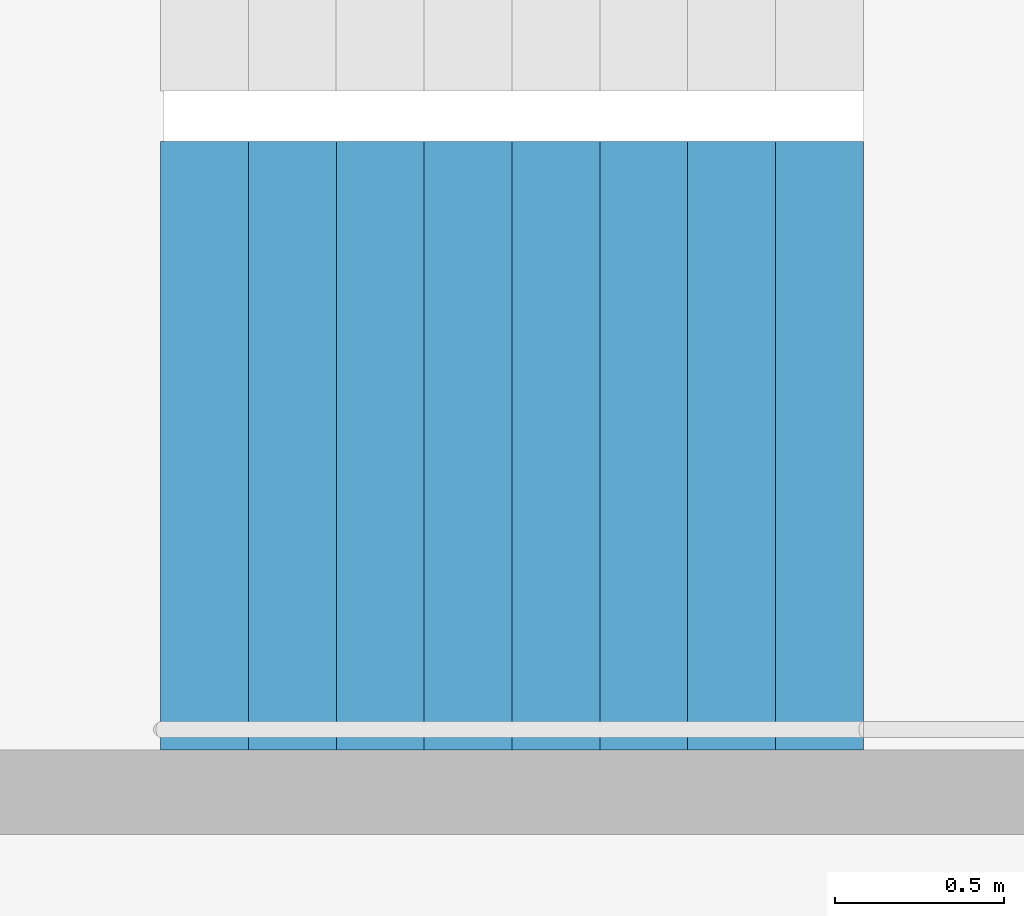
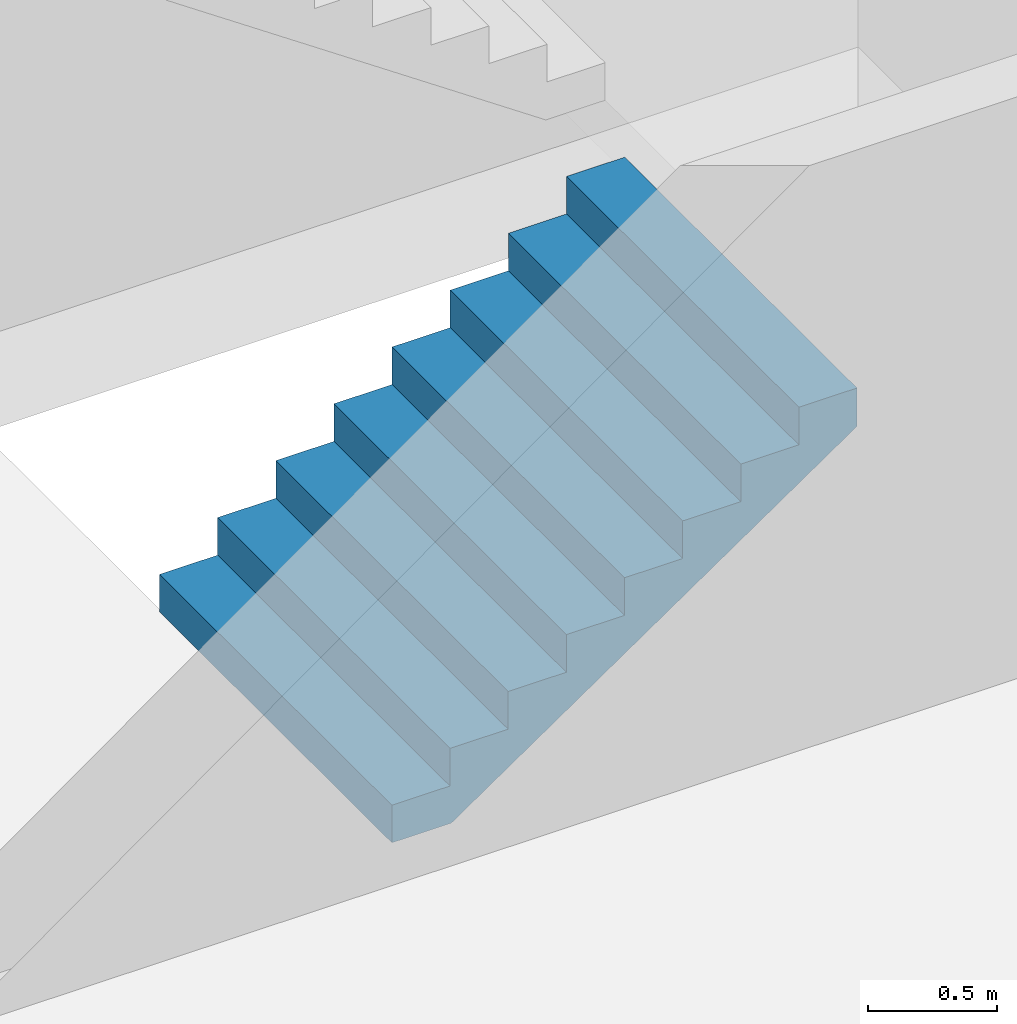
# One storey, part 19 of 25: 1 stair flight, 1 element without a shape of its own.
"""IFC4 building model written with IfcOpenShell, lengths in metres."""

from ifc_helpers import new_model, si_unit, direction, frame, origin, place, context, subcontext, project, spatial, triangles, material, type_object, element, aggregate, save


model = new_model("IFC4")

# Units and contexts
model_context = context("Model", 3, precision=1e-05, world=origin(), true_north=direction((0.0, 1.0)))
body_context = subcontext(model_context, "Body", "Model", "MODEL_VIEW")
ifc_project = project(units=[si_unit("LENGTHUNIT", "METRE"), si_unit("AREAUNIT", "SQUARE_METRE"), si_unit("VOLUMEUNIT", "CUBIC_METRE"), si_unit("PLANEANGLEUNIT", "RADIAN"), si_unit("MASSUNIT", "GRAM", prefix="KILO")], contexts=[model_context])

# Site, building, storey
site_placement = place(None, origin())
site = spatial("IfcSite", under=ifc_project, at=site_placement, CompositionType="ELEMENT")
building_placement = place(site_placement, origin())
building = spatial("IfcBuilding", under=site, at=building_placement, Name="Hakoniwa Tower and Hamabe Station Hall", CompositionType="ELEMENT")
storey_placement = place(building_placement, frame((0.0, 0.0, 202.60009765625)))
storey = spatial("IfcBuildingStorey", under=building, at=storey_placement, Name="L57", CompositionType="ELEMENT", Elevation=202.60009765625)

# Stair, stair flight
ifc_material_1 = material(Name="Concrete C40", Category="concrete")
stair_type = type_object("IfcStairType", Name="ESCAPE STAIR 1800", PredefinedType="HALF_TURN_STAIR", material=ifc_material_1)
stair_placement = place(storey_placement, origin())
stair = element("IfcStair", 1, at=stair_placement, inside=storey, type_object=stair_type, Name="Escape stair ST-1 L57", PredefinedType="HALF_TURN_STAIR")
ifc_material_2 = material(Name="Concrete C40", Category="concrete")
stair_flight_type = type_object("IfcStairFlightType", Name="STAIR FLIGHT 1800", PredefinedType="STRAIGHT", material=ifc_material_2)
stair_flight_placement = place(storey_placement, frame((-24.39990234375, 4.64990234375, 0.0), z_axis=(0.0, 0.0, 1.0), x_axis=(1.0, 0.0, 0.0)))
stair_flight = element("IfcStairFlight", 2, at=stair_flight_placement, type_object=stair_flight_type, Name="ST-1 flight 1", NumberOfRisers=9, NumberOfTreads=8, PredefinedType="STRAIGHT", RiserHeight=0.177777778, TreadLength=0.26, context=body_context, shape_type="Tessellation", body=[
    triangles([(0.0, 0.89990234375, 0.0), (0.260009765625, 0.89990234375, 0.0), (0.265625, 0.89990234375, 0.0), (0.52001953125, 0.89990234375, 0.174072265625), (0.780029296875, 0.89990234375, 0.351806640625), (1.0400390625, 0.89990234375, 0.529541015625), (1.300048828125, 0.89990234375, 0.707275390625), (1.56005859375, 0.89990234375, 0.885009765625), (1.820068359375, 0.89990234375, 1.062744140625), (2.080078125, 0.89990234375, 1.24072265625), (2.080078125, 0.89990234375, 1.422119140625), (1.820068359375, 0.89990234375, 1.422119140625), (1.820068359375, 0.89990234375, 1.244384765625), (1.56005859375, 0.89990234375, 1.244384765625), (1.56005859375, 0.89990234375, 1.066650390625), (1.300048828125, 0.89990234375, 1.066650390625), (1.300048828125, 0.89990234375, 0.888916015625), (1.0400390625, 0.89990234375, 0.888916015625), (1.0400390625, 0.89990234375, 0.711181640625), (0.780029296875, 0.89990234375, 0.711181640625), (0.780029296875, 0.89990234375, 0.533447265625), (0.52001953125, 0.89990234375, 0.533447265625), (0.52001953125, 0.89990234375, 0.35546875), (0.265625, 0.89990234375, 0.35546875), (0.260009765625, 0.89990234375, 0.35546875), (0.260009765625, 0.89990234375, 0.177734375), (0.0, 0.89990234375, 0.177734375), (0.0, 0.06005859375, 0.0), (0.260009765625, 0.06005859375, 0.0), (0.265625, 0.06005859375, 0.0), (0.52001953125, 0.06005859375, 0.174072265625), (0.780029296875, 0.06005859375, 0.351806640625), (1.0400390625, 0.06005859375, 0.529541015625), (1.300048828125, 0.06005859375, 0.707275390625), (1.56005859375, 0.06005859375, 0.885009765625), (1.820068359375, 0.06005859375, 1.062744140625), (2.080078125, 0.06005859375, 1.24072265625), (2.080078125, 0.06005859375, 1.422119140625), (1.820068359375, 0.06005859375, 1.422119140625), (1.820068359375, 0.06005859375, 1.244384765625), (1.56005859375, 0.06005859375, 1.244384765625), (1.56005859375, 0.06005859375, 1.066650390625), (1.300048828125, 0.06005859375, 1.066650390625), (1.300048828125, 0.06005859375, 0.888916015625), (1.0400390625, 0.06005859375, 0.888916015625), (1.0400390625, 0.06005859375, 0.711181640625), (0.780029296875, 0.06005859375, 0.711181640625), (0.780029296875, 0.06005859375, 0.533447265625), (0.52001953125, 0.06005859375, 0.533447265625), (0.52001953125, 0.06005859375, 0.35546875), (0.265625, 0.06005859375, 0.35546875), (0.260009765625, 0.06005859375, 0.35546875), (0.260009765625, 0.06005859375, 0.177734375), (0.0, 0.06005859375, 0.177734375), (0.0, 0.04296875, 0.0), (0.260009765625, 0.04296875, 0.0), (0.265625, 0.04296875, 0.0), (0.52001953125, 0.04296875, 0.174072265625), (0.780029296875, 0.04296875, 0.351806640625), (1.0400390625, 0.04296875, 0.529541015625), (1.300048828125, 0.04296875, 0.707275390625), (1.56005859375, 0.04296875, 0.885009765625), (1.820068359375, 0.04296875, 1.062744140625), (2.080078125, 0.04296875, 1.24072265625), (2.080078125, 0.04296875, 1.422119140625), (1.820068359375, 0.04296875, 1.422119140625), (1.820068359375, 0.04296875, 1.244384765625), (1.56005859375, 0.04296875, 1.244384765625), (1.56005859375, 0.04296875, 1.066650390625), (1.300048828125, 0.04296875, 1.066650390625), (1.300048828125, 0.04296875, 0.888916015625), (1.0400390625, 0.04296875, 0.888916015625), (1.0400390625, 0.04296875, 0.711181640625), (0.780029296875, 0.04296875, 0.711181640625), (0.780029296875, 0.04296875, 0.533447265625), (0.52001953125, 0.04296875, 0.533447265625), (0.52001953125, 0.04296875, 0.35546875), (0.265625, 0.04296875, 0.35546875), (0.260009765625, 0.04296875, 0.35546875), (0.260009765625, 0.04296875, 0.177734375), (0.0, 0.04296875, 0.177734375), (0.0, 0.025634765625, 0.0), (0.260009765625, 0.025634765625, 0.0), (0.265625, 0.025634765625, 0.0), (0.52001953125, 0.025634765625, 0.174072265625), (0.780029296875, 0.025634765625, 0.351806640625), (1.0400390625, 0.025634765625, 0.529541015625), (1.300048828125, 0.025634765625, 0.707275390625), (1.56005859375, 0.025634765625, 0.885009765625), (1.820068359375, 0.025634765625, 1.062744140625), (2.080078125, 0.025634765625, 1.24072265625), (2.080078125, 0.025634765625, 1.422119140625), (1.820068359375, 0.025634765625, 1.422119140625), (1.820068359375, 0.025634765625, 1.244384765625), (1.56005859375, 0.025634765625, 1.244384765625), (1.56005859375, 0.025634765625, 1.066650390625), (1.300048828125, 0.025634765625, 1.066650390625), (1.300048828125, 0.025634765625, 0.888916015625), (1.0400390625, 0.025634765625, 0.888916015625), (1.0400390625, 0.025634765625, 0.711181640625), (0.780029296875, 0.025634765625, 0.711181640625), (0.780029296875, 0.025634765625, 0.533447265625), (0.52001953125, 0.025634765625, 0.533447265625), (0.52001953125, 0.025634765625, 0.35546875), (0.265625, 0.025634765625, 0.35546875), (0.260009765625, 0.025634765625, 0.35546875), (0.260009765625, 0.025634765625, 0.177734375), (0.0, 0.025634765625, 0.177734375), (0.0, 0.008544921875, 0.0), (0.260009765625, 0.008544921875, 0.0), (0.265625, 0.008544921875, 0.0), (0.52001953125, 0.008544921875, 0.174072265625), (0.780029296875, 0.008544921875, 0.351806640625), (1.0400390625, 0.008544921875, 0.529541015625), (1.300048828125, 0.008544921875, 0.707275390625), (1.56005859375, 0.008544921875, 0.885009765625), (1.820068359375, 0.008544921875, 1.062744140625), (2.080078125, 0.008544921875, 1.24072265625), (2.080078125, 0.008544921875, 1.422119140625), (1.820068359375, 0.008544921875, 1.422119140625), (1.820068359375, 0.008544921875, 1.244384765625), (1.56005859375, 0.008544921875, 1.244384765625), (1.56005859375, 0.008544921875, 1.066650390625), (1.300048828125, 0.008544921875, 1.066650390625), (1.300048828125, 0.008544921875, 0.888916015625), (1.0400390625, 0.008544921875, 0.888916015625), (1.0400390625, 0.008544921875, 0.711181640625), (0.780029296875, 0.008544921875, 0.711181640625), (0.780029296875, 0.008544921875, 0.533447265625), (0.52001953125, 0.008544921875, 0.533447265625), (0.52001953125, 0.008544921875, 0.35546875), (0.265625, 0.008544921875, 0.35546875), (0.260009765625, 0.008544921875, 0.35546875), (0.260009765625, 0.008544921875, 0.177734375), (0.0, 0.008544921875, 0.177734375), (0.0, -0.008544921875, 0.0), (0.260009765625, -0.008544921875, 0.0), (0.265625, -0.008544921875, 0.0), (0.52001953125, -0.008544921875, 0.174072265625), (0.780029296875, -0.008544921875, 0.351806640625), (1.0400390625, -0.008544921875, 0.529541015625), (1.300048828125, -0.008544921875, 0.707275390625), (1.56005859375, -0.008544921875, 0.885009765625), (1.820068359375, -0.008544921875, 1.062744140625), (2.080078125, -0.008544921875, 1.24072265625), (2.080078125, -0.008544921875, 1.422119140625), (1.820068359375, -0.008544921875, 1.422119140625), (1.820068359375, -0.008544921875, 1.244384765625), (1.56005859375, -0.008544921875, 1.244384765625), (1.56005859375, -0.008544921875, 1.066650390625), (1.300048828125, -0.008544921875, 1.066650390625), (1.300048828125, -0.008544921875, 0.888916015625), (1.0400390625, -0.008544921875, 0.888916015625), (1.0400390625, -0.008544921875, 0.711181640625), (0.780029296875, -0.008544921875, 0.711181640625), (0.780029296875, -0.008544921875, 0.533447265625), (0.52001953125, -0.008544921875, 0.533447265625), (0.52001953125, -0.008544921875, 0.35546875), (0.265625, -0.008544921875, 0.35546875), (0.260009765625, -0.008544921875, 0.35546875), (0.260009765625, -0.008544921875, 0.177734375), (0.0, -0.008544921875, 0.177734375), (0.0, -0.025634765625, 0.0), (0.260009765625, -0.025634765625, 0.0), (0.265625, -0.025634765625, 0.0), (0.52001953125, -0.025634765625, 0.174072265625), (0.780029296875, -0.025634765625, 0.351806640625), (1.0400390625, -0.025634765625, 0.529541015625), (1.300048828125, -0.025634765625, 0.707275390625), (1.56005859375, -0.025634765625, 0.885009765625), (1.820068359375, -0.025634765625, 1.062744140625), (2.080078125, -0.025634765625, 1.24072265625), (2.080078125, -0.025634765625, 1.422119140625), (1.820068359375, -0.025634765625, 1.422119140625), (1.820068359375, -0.025634765625, 1.244384765625), (1.56005859375, -0.025634765625, 1.244384765625), (1.56005859375, -0.025634765625, 1.066650390625), (1.300048828125, -0.025634765625, 1.066650390625), (1.300048828125, -0.025634765625, 0.888916015625), (1.0400390625, -0.025634765625, 0.888916015625), (1.0400390625, -0.025634765625, 0.711181640625), (0.780029296875, -0.025634765625, 0.711181640625), (0.780029296875, -0.025634765625, 0.533447265625), (0.52001953125, -0.025634765625, 0.533447265625), (0.52001953125, -0.025634765625, 0.35546875), (0.265625, -0.025634765625, 0.35546875), (0.260009765625, -0.025634765625, 0.35546875), (0.260009765625, -0.025634765625, 0.177734375), (0.0, -0.025634765625, 0.177734375), (0.0, -0.04296875, 0.0), (0.260009765625, -0.04296875, 0.0), (0.265625, -0.04296875, 0.0), (0.52001953125, -0.04296875, 0.174072265625), (0.780029296875, -0.04296875, 0.351806640625), (1.0400390625, -0.04296875, 0.529541015625), (1.300048828125, -0.04296875, 0.707275390625), (1.56005859375, -0.04296875, 0.885009765625), (1.820068359375, -0.04296875, 1.062744140625), (2.080078125, -0.04296875, 1.24072265625), (2.080078125, -0.04296875, 1.422119140625), (1.820068359375, -0.04296875, 1.422119140625), (1.820068359375, -0.04296875, 1.244384765625), (1.56005859375, -0.04296875, 1.244384765625), (1.56005859375, -0.04296875, 1.066650390625), (1.300048828125, -0.04296875, 1.066650390625), (1.300048828125, -0.04296875, 0.888916015625), (1.0400390625, -0.04296875, 0.888916015625), (1.0400390625, -0.04296875, 0.711181640625), (0.780029296875, -0.04296875, 0.711181640625), (0.780029296875, -0.04296875, 0.533447265625), (0.52001953125, -0.04296875, 0.533447265625), (0.52001953125, -0.04296875, 0.35546875), (0.265625, -0.04296875, 0.35546875), (0.260009765625, -0.04296875, 0.35546875), (0.260009765625, -0.04296875, 0.177734375), (0.0, -0.04296875, 0.177734375), (0.0, -0.06005859375, 0.0), (0.260009765625, -0.06005859375, 0.0), (0.265625, -0.06005859375, 0.0), (0.52001953125, -0.06005859375, 0.174072265625), (0.780029296875, -0.06005859375, 0.351806640625), (1.0400390625, -0.06005859375, 0.529541015625), (1.300048828125, -0.06005859375, 0.707275390625), (1.56005859375, -0.06005859375, 0.885009765625), (1.820068359375, -0.06005859375, 1.062744140625), (2.080078125, -0.06005859375, 1.24072265625), (2.080078125, -0.06005859375, 1.422119140625), (1.820068359375, -0.06005859375, 1.422119140625), (1.820068359375, -0.06005859375, 1.244384765625), (1.56005859375, -0.06005859375, 1.244384765625), (1.56005859375, -0.06005859375, 1.066650390625), (1.300048828125, -0.06005859375, 1.066650390625), (1.300048828125, -0.06005859375, 0.888916015625), (1.0400390625, -0.06005859375, 0.888916015625), (1.0400390625, -0.06005859375, 0.711181640625), (0.780029296875, -0.06005859375, 0.711181640625), (0.780029296875, -0.06005859375, 0.533447265625), (0.52001953125, -0.06005859375, 0.533447265625), (0.52001953125, -0.06005859375, 0.35546875), (0.265625, -0.06005859375, 0.35546875), (0.260009765625, -0.06005859375, 0.35546875), (0.260009765625, -0.06005859375, 0.177734375), (0.0, -0.06005859375, 0.177734375), (0.0, -0.89990234375, 0.0), (0.260009765625, -0.89990234375, 0.0), (0.265625, -0.89990234375, 0.0), (0.52001953125, -0.89990234375, 0.174072265625), (0.780029296875, -0.89990234375, 0.351806640625), (1.0400390625, -0.89990234375, 0.529541015625), (1.300048828125, -0.89990234375, 0.707275390625), (1.56005859375, -0.89990234375, 0.885009765625), (1.820068359375, -0.89990234375, 1.062744140625), (2.080078125, -0.89990234375, 1.24072265625), (2.080078125, -0.89990234375, 1.422119140625), (1.820068359375, -0.89990234375, 1.422119140625), (1.820068359375, -0.89990234375, 1.244384765625), (1.56005859375, -0.89990234375, 1.244384765625), (1.56005859375, -0.89990234375, 1.066650390625), (1.300048828125, -0.89990234375, 1.066650390625), (1.300048828125, -0.89990234375, 0.888916015625), (1.0400390625, -0.89990234375, 0.888916015625), (1.0400390625, -0.89990234375, 0.711181640625), (0.780029296875, -0.89990234375, 0.711181640625), (0.780029296875, -0.89990234375, 0.533447265625), (0.52001953125, -0.89990234375, 0.533447265625), (0.52001953125, -0.89990234375, 0.35546875), (0.265625, -0.89990234375, 0.35546875), (0.260009765625, -0.89990234375, 0.35546875), (0.260009765625, -0.89990234375, 0.177734375), (0.0, -0.89990234375, 0.177734375)], [[2, 27, 26], [245, 269, 270], [2, 1, 27], [245, 270, 244], [3, 25, 24], [246, 267, 268], [3, 26, 25], [246, 268, 269], [3, 2, 26], [246, 269, 245], [4, 24, 23], [247, 266, 267], [4, 3, 24], [247, 267, 246], [5, 22, 21], [248, 264, 265], [5, 23, 22], [248, 265, 266], [5, 4, 23], [248, 266, 247], [6, 20, 19], [249, 262, 263], [6, 21, 20], [249, 263, 264], [6, 5, 21], [249, 264, 248], [7, 18, 17], [250, 260, 261], [7, 19, 18], [250, 261, 262], [7, 6, 19], [250, 262, 249], [8, 16, 15], [251, 258, 259], [8, 17, 16], [251, 259, 260], [8, 7, 17], [251, 260, 250], [9, 14, 13], [252, 256, 257], [9, 15, 14], [252, 257, 258], [9, 8, 15], [252, 258, 251], [10, 12, 11], [253, 254, 255], [10, 13, 12], [253, 255, 256], [10, 9, 13], [253, 256, 252], [1, 2, 29], [1, 29, 28], [28, 29, 56], [28, 56, 55], [55, 56, 83], [55, 83, 82], [82, 83, 110], [82, 110, 109], [109, 110, 137], [109, 137, 136], [136, 137, 164], [136, 164, 163], [163, 164, 191], [163, 191, 190], [190, 191, 218], [190, 218, 217], [217, 218, 245], [217, 245, 244], [2, 3, 30], [2, 30, 29], [29, 30, 57], [29, 57, 56], [56, 57, 84], [56, 84, 83], [83, 84, 111], [83, 111, 110], [110, 111, 138], [110, 138, 137], [137, 138, 165], [137, 165, 164], [164, 165, 192], [164, 192, 191], [191, 192, 219], [191, 219, 218], [218, 219, 246], [218, 246, 245], [3, 4, 31], [3, 31, 30], [30, 31, 58], [30, 58, 57], [57, 58, 85], [57, 85, 84], [84, 85, 112], [84, 112, 111], [111, 112, 139], [111, 139, 138], [138, 139, 166], [138, 166, 165], [165, 166, 193], [165, 193, 192], [192, 193, 220], [192, 220, 219], [219, 220, 247], [219, 247, 246], [4, 5, 32], [4, 32, 31], [31, 32, 59], [31, 59, 58], [58, 59, 86], [58, 86, 85], [85, 86, 113], [85, 113, 112], [112, 113, 140], [112, 140, 139], [139, 140, 167], [139, 167, 166], [166, 167, 194], [166, 194, 193], [193, 194, 221], [193, 221, 220], [220, 221, 248], [220, 248, 247], [5, 6, 33], [5, 33, 32], [32, 33, 60], [32, 60, 59], [59, 60, 87], [59, 87, 86], [86, 87, 114], [86, 114, 113], [113, 114, 141], [113, 141, 140], [140, 141, 168], [140, 168, 167], [167, 168, 195], [167, 195, 194], [194, 195, 222], [194, 222, 221], [221, 222, 249], [221, 249, 248], [6, 7, 34], [6, 34, 33], [33, 34, 61], [33, 61, 60], [60, 61, 88], [60, 88, 87], [87, 88, 115], [87, 115, 114], [114, 115, 142], [114, 142, 141], [141, 142, 169], [141, 169, 168], [168, 169, 196], [168, 196, 195], [195, 196, 223], [195, 223, 222], [222, 223, 250], [222, 250, 249], [7, 8, 35], [7, 35, 34], [34, 35, 62], [34, 62, 61], [61, 62, 89], [61, 89, 88], [88, 89, 116], [88, 116, 115], [115, 116, 143], [115, 143, 142], [142, 143, 170], [142, 170, 169], [169, 170, 197], [169, 197, 196], [196, 197, 224], [196, 224, 223], [223, 224, 251], [223, 251, 250], [8, 9, 36], [8, 36, 35], [35, 36, 63], [35, 63, 62], [62, 63, 90], [62, 90, 89], [89, 90, 117], [89, 117, 116], [116, 117, 144], [116, 144, 143], [143, 144, 171], [143, 171, 170], [170, 171, 198], [170, 198, 197], [197, 198, 225], [197, 225, 224], [224, 225, 252], [224, 252, 251], [9, 10, 37], [9, 37, 36], [36, 37, 64], [36, 64, 63], [63, 64, 91], [63, 91, 90], [90, 91, 118], [90, 118, 117], [117, 118, 145], [117, 145, 144], [144, 145, 172], [144, 172, 171], [171, 172, 199], [171, 199, 198], [198, 199, 226], [198, 226, 225], [225, 226, 253], [225, 253, 252], [10, 11, 38], [10, 38, 37], [37, 38, 65], [37, 65, 64], [64, 65, 92], [64, 92, 91], [91, 92, 119], [91, 119, 118], [118, 119, 146], [118, 146, 145], [145, 146, 173], [145, 173, 172], [172, 173, 200], [172, 200, 199], [199, 200, 227], [199, 227, 226], [226, 227, 254], [226, 254, 253], [11, 12, 39], [11, 39, 38], [38, 39, 66], [38, 66, 65], [65, 66, 93], [65, 93, 92], [92, 93, 120], [92, 120, 119], [119, 120, 147], [119, 147, 146], [146, 147, 174], [146, 174, 173], [173, 174, 201], [173, 201, 200], [200, 201, 228], [200, 228, 227], [227, 228, 255], [227, 255, 254], [12, 13, 40], [12, 40, 39], [39, 40, 67], [39, 67, 66], [66, 67, 94], [66, 94, 93], [93, 94, 121], [93, 121, 120], [120, 121, 148], [120, 148, 147], [147, 148, 175], [147, 175, 174], [174, 175, 202], [174, 202, 201], [201, 202, 229], [201, 229, 228], [228, 229, 256], [228, 256, 255], [13, 14, 41], [13, 41, 40], [40, 41, 68], [40, 68, 67], [67, 68, 95], [67, 95, 94], [94, 95, 122], [94, 122, 121], [121, 122, 149], [121, 149, 148], [148, 149, 176], [148, 176, 175], [175, 176, 203], [175, 203, 202], [202, 203, 230], [202, 230, 229], [229, 230, 257], [229, 257, 256], [14, 15, 42], [14, 42, 41], [41, 42, 69], [41, 69, 68], [68, 69, 96], [68, 96, 95], [95, 96, 123], [95, 123, 122], [122, 123, 150], [122, 150, 149], [149, 150, 177], [149, 177, 176], [176, 177, 204], [176, 204, 203], [203, 204, 231], [203, 231, 230], [230, 231, 258], [230, 258, 257], [15, 16, 43], [15, 43, 42], [42, 43, 70], [42, 70, 69], [69, 70, 97], [69, 97, 96], [96, 97, 124], [96, 124, 123], [123, 124, 151], [123, 151, 150], [150, 151, 178], [150, 178, 177], [177, 178, 205], [177, 205, 204], [204, 205, 232], [204, 232, 231], [231, 232, 259], [231, 259, 258], [16, 17, 44], [16, 44, 43], [43, 44, 71], [43, 71, 70], [70, 71, 98], [70, 98, 97], [97, 98, 125], [97, 125, 124], [124, 125, 152], [124, 152, 151], [151, 152, 179], [151, 179, 178], [178, 179, 206], [178, 206, 205], [205, 206, 233], [205, 233, 232], [232, 233, 260], [232, 260, 259], [17, 18, 45], [17, 45, 44], [44, 45, 72], [44, 72, 71], [71, 72, 99], [71, 99, 98], [98, 99, 126], [98, 126, 125], [125, 126, 153], [125, 153, 152], [152, 153, 180], [152, 180, 179], [179, 180, 207], [179, 207, 206], [206, 207, 234], [206, 234, 233], [233, 234, 261], [233, 261, 260], [18, 19, 46], [18, 46, 45], [45, 46, 73], [45, 73, 72], [72, 73, 100], [72, 100, 99], [99, 100, 127], [99, 127, 126], [126, 127, 154], [126, 154, 153], [153, 154, 181], [153, 181, 180], [180, 181, 208], [180, 208, 207], [207, 208, 235], [207, 235, 234], [234, 235, 262], [234, 262, 261], [19, 20, 47], [19, 47, 46], [46, 47, 74], [46, 74, 73], [73, 74, 101], [73, 101, 100], [100, 101, 128], [100, 128, 127], [127, 128, 155], [127, 155, 154], [154, 155, 182], [154, 182, 181], [181, 182, 209], [181, 209, 208], [208, 209, 236], [208, 236, 235], [235, 236, 263], [235, 263, 262], [20, 21, 48], [20, 48, 47], [47, 48, 75], [47, 75, 74], [74, 75, 102], [74, 102, 101], [101, 102, 129], [101, 129, 128], [128, 129, 156], [128, 156, 155], [155, 156, 183], [155, 183, 182], [182, 183, 210], [182, 210, 209], [209, 210, 237], [209, 237, 236], [236, 237, 264], [236, 264, 263], [21, 22, 49], [21, 49, 48], [48, 49, 76], [48, 76, 75], [75, 76, 103], [75, 103, 102], [102, 103, 130], [102, 130, 129], [129, 130, 157], [129, 157, 156], [156, 157, 184], [156, 184, 183], [183, 184, 211], [183, 211, 210], [210, 211, 238], [210, 238, 237], [237, 238, 265], [237, 265, 264], [22, 23, 50], [22, 50, 49], [49, 50, 77], [49, 77, 76], [76, 77, 104], [76, 104, 103], [103, 104, 131], [103, 131, 130], [130, 131, 158], [130, 158, 157], [157, 158, 185], [157, 185, 184], [184, 185, 212], [184, 212, 211], [211, 212, 239], [211, 239, 238], [238, 239, 266], [238, 266, 265], [23, 24, 51], [23, 51, 50], [50, 51, 78], [50, 78, 77], [77, 78, 105], [77, 105, 104], [104, 105, 132], [104, 132, 131], [131, 132, 159], [131, 159, 158], [158, 159, 186], [158, 186, 185], [185, 186, 213], [185, 213, 212], [212, 213, 240], [212, 240, 239], [239, 240, 267], [239, 267, 266], [24, 25, 52], [24, 52, 51], [51, 52, 79], [51, 79, 78], [78, 79, 106], [78, 106, 105], [105, 106, 133], [105, 133, 132], [132, 133, 160], [132, 160, 159], [159, 160, 187], [159, 187, 186], [186, 187, 214], [186, 214, 213], [213, 214, 241], [213, 241, 240], [240, 241, 268], [240, 268, 267], [25, 26, 53], [25, 53, 52], [52, 53, 80], [52, 80, 79], [79, 80, 107], [79, 107, 106], [106, 107, 134], [106, 134, 133], [133, 134, 161], [133, 161, 160], [160, 161, 188], [160, 188, 187], [187, 188, 215], [187, 215, 214], [214, 215, 242], [214, 242, 241], [241, 242, 269], [241, 269, 268], [26, 27, 54], [26, 54, 53], [53, 54, 81], [53, 81, 80], [80, 81, 108], [80, 108, 107], [107, 108, 135], [107, 135, 134], [134, 135, 162], [134, 162, 161], [161, 162, 189], [161, 189, 188], [188, 189, 216], [188, 216, 215], [215, 216, 243], [215, 243, 242], [242, 243, 270], [242, 270, 269], [27, 1, 28], [27, 28, 54], [54, 28, 55], [54, 55, 81], [81, 55, 82], [81, 82, 108], [108, 82, 109], [108, 109, 135], [135, 109, 136], [135, 136, 162], [162, 136, 163], [162, 163, 189], [189, 163, 190], [189, 190, 216], [216, 190, 217], [216, 217, 243], [243, 217, 244], [243, 244, 270]], closed=True),
])
aggregate(stair, [stair_flight])

save(model, "model.ifc")
